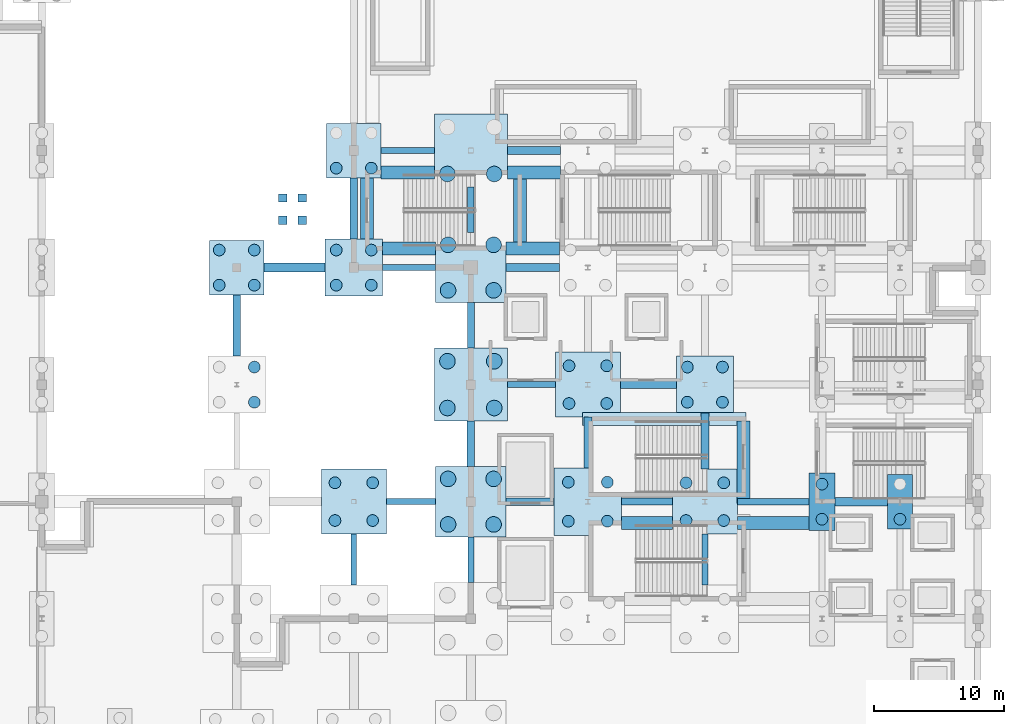
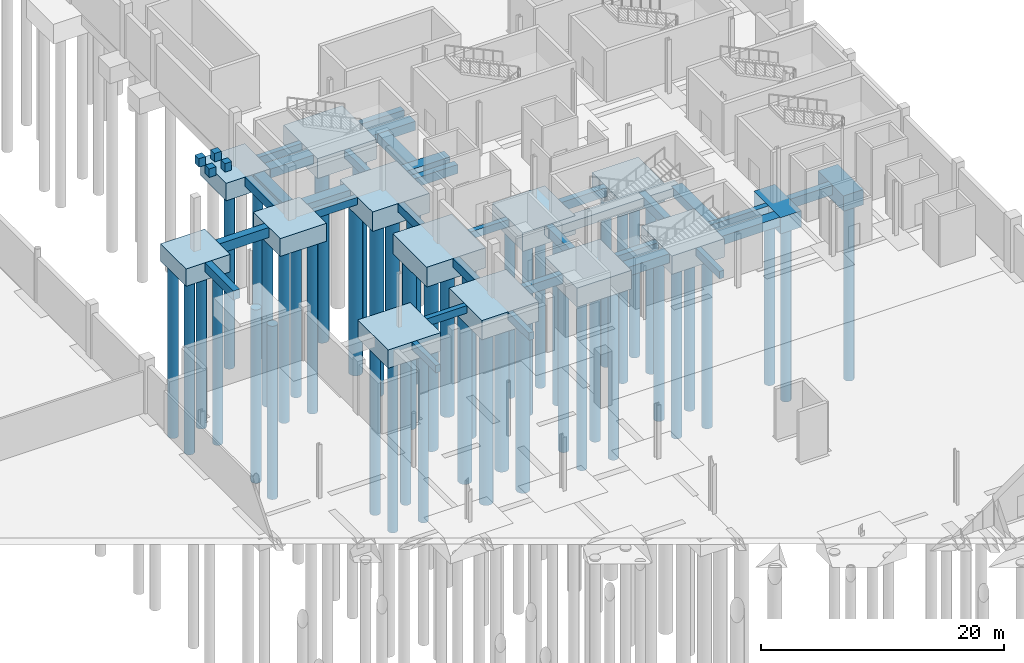
# One storey, part 8 of 58: 50 footings, 49 piles.
"""IFC4 building model written with IfcOpenShell, lengths in metres."""

from ifc_helpers import new_model, si_unit, direction, frame, origin, origin_2d, place, context, subcontext, project, spatial, rectangle, circle, extrude, material, material_profile, profile_set, type_object, element, save


model = new_model("IFC4")

# Units and contexts
model_context = context("Model", 3, precision=1e-05, world=origin(), true_north=direction((0.0, 1.0)))
body_context = subcontext(model_context, "Body", "Model", "MODEL_VIEW")
ifc_project = project(units=[si_unit("LENGTHUNIT", "METRE"), si_unit("AREAUNIT", "SQUARE_METRE"), si_unit("VOLUMEUNIT", "CUBIC_METRE"), si_unit("PLANEANGLEUNIT", "RADIAN"), si_unit("MASSUNIT", "GRAM", prefix="KILO")], contexts=[model_context])

# Site, building, storey
site_placement = place(None, origin())
site = spatial("IfcSite", under=ifc_project, at=site_placement, CompositionType="ELEMENT")
building_placement = place(site_placement, origin())
building = spatial("IfcBuilding", under=site, at=building_placement, Name="Qamarlyn Nura Convention Centre", CompositionType="ELEMENT")
storey_placement = place(building_placement, frame((0.0, 0.0, -5.39990234375)))
storey = spatial("IfcBuildingStorey", under=building, at=storey_placement, Name="B01", CompositionType="ELEMENT", Elevation=-5.39990234375)

# Footings
ifc_material = material(Name="Concrete C40/50", Category="concrete")
ifc_material_profile_1 = material_profile(ifc_material, rectangle(XDim=0.449951171875, YDim=0.75, at=origin_2d()), Name="RC GB 450x750")
ifc_profile_set_1 = profile_set([ifc_material_profile_1], Name="Concrete C40/50")
footing_type_1 = type_object("IfcFootingType", Name="GB-450X750", PredefinedType="FOOTING_BEAM", material=ifc_profile_set_1)
footing_1_placement = place(storey_placement, frame((146.5, 63.0, -0.375), z_axis=(1.0, 0.0, 0.0), x_axis=(0.0, 1.0, 0.0)))
element("IfcFooting", 1, at=footing_1_placement, inside=storey, type_object=footing_type_1, Name="Ground tie beam H 12-13", PredefinedType="FOOTING_BEAM", context=body_context, shape_type="SweptSolid", body=[
    extrude(rectangle(XDim=0.449951171875, YDim=0.75, at=origin_2d()), origin(), (0.0, 0.0, 1.0), 3.800048828125),
])
footing_2_placement = place(storey_placement, frame((155.800048828125, 72.0, -0.375), z_axis=(1.0, 0.0, 0.0), x_axis=(0.0, 1.0, 0.0)))
element("IfcFooting", 2, at=footing_2_placement, inside=storey, type_object=footing_type_1, Name="Ground tie beam J 13-14", PredefinedType="FOOTING_BEAM", context=body_context, shape_type="SweptSolid", body=[
    extrude(rectangle(XDim=0.449951171875, YDim=0.75, at=origin_2d()), origin(), (0.0, 0.0, 1.0), 3.699951171875),
])
footing_3_placement = place(storey_placement, frame((146.199951171875, 81.0, -0.375), z_axis=(1.0, 0.0, 0.0), x_axis=(0.0, 1.0, 0.0)))
element("IfcFooting", 3, at=footing_3_placement, inside=storey, type_object=footing_type_1, Name="Ground tie beam K 12-13", PredefinedType="FOOTING_BEAM", context=body_context, shape_type="SweptSolid", body=[
    extrude(rectangle(XDim=0.449951171875, YDim=0.75, at=origin_2d()), origin(), (0.0, 0.0, 1.0), 4.10009765625),
])
footing_4_placement = place(storey_placement, frame((146.10009765625, 90.0, -0.375), z_axis=(1.0, 0.0, 0.0), x_axis=(0.0, 1.0, 0.0)))
element("IfcFooting", 4, at=footing_4_placement, inside=storey, type_object=footing_type_1, Name="Ground tie beam L 12-13", PredefinedType="FOOTING_BEAM", context=body_context, shape_type="SweptSolid", body=[
    extrude(rectangle(XDim=0.449951171875, YDim=0.75, at=origin_2d()), origin(), (0.0, 0.0, 1.0), 4.099853515625),
])
footing_5_placement = place(storey_placement, frame((144.0, 56.60009765625, -0.375), z_axis=(0.0, 1.0, 0.0), x_axis=(-1.0, 0.0, 0.0)))
element("IfcFooting", 5, at=footing_5_placement, inside=storey, type_object=footing_type_1, Name="Ground tie beam 12 G-H", PredefinedType="FOOTING_BEAM", context=body_context, shape_type="SweptSolid", body=[
    extrude(rectangle(XDim=0.449951171875, YDim=0.75, at=origin_2d()), origin(), (0.0, 0.0, 1.0), 3.89990234375),
])
footing_6_placement = place(storey_placement, frame((153.0, 56.800048828125, -0.375), z_axis=(0.0, 1.0, 0.0), x_axis=(-1.0, 0.0, 0.0)))
element("IfcFooting", 6, at=footing_6_placement, inside=storey, type_object=footing_type_1, Name="Ground tie beam 13 G-H", PredefinedType="FOOTING_BEAM", context=body_context, shape_type="SweptSolid", body=[
    extrude(rectangle(XDim=0.449951171875, YDim=0.75, at=origin_2d()), origin(), (0.0, 0.0, 1.0), 3.5),
])
footing_7_placement = place(storey_placement, frame((171.0, 56.60009765625, -0.375), z_axis=(0.0, 1.0, 0.0), x_axis=(-1.0, 0.0, 0.0)))
element("IfcFooting", 7, at=footing_7_placement, inside=storey, type_object=footing_type_1, Name="Ground tie beam 15 G-H", PredefinedType="FOOTING_BEAM", context=body_context, shape_type="SweptSolid", body=[
    extrude(rectangle(XDim=0.449951171875, YDim=0.75, at=origin_2d()), origin(), (0.0, 0.0, 1.0), 3.89990234375),
])
ifc_material_profile_2 = material_profile(ifc_material, rectangle(XDim=0.5, YDim=0.800048828125, at=origin_2d()), Name="RC GB 500x800")
ifc_profile_set_2 = profile_set([ifc_material_profile_2], Name="Concrete C40/50")
footing_type_2 = type_object("IfcFootingType", Name="GB-500X800", PredefinedType="FOOTING_BEAM", material=ifc_profile_set_2)
footing_8_placement = place(storey_placement, frame((173.5, 63.0, -0.400146484375), z_axis=(1.0, 0.0, 0.0), x_axis=(0.0, 1.0, 0.0)))
element("IfcFooting", 8, at=footing_8_placement, inside=storey, type_object=footing_type_2, Name="Ground tie beam H 15-16", PredefinedType="FOOTING_BEAM", context=body_context, shape_type="SweptSolid", body=[
    extrude(rectangle(XDim=0.5, YDim=0.800048828125, at=origin_2d()), origin(), (0.0, 0.0, 1.0), 5.5),
])
footing_9_placement = place(storey_placement, frame((153.0, 83.699951171875, -0.400146484375), z_axis=(0.0, 1.0, 0.0), x_axis=(-1.0, 0.0, 0.0)))
element("IfcFooting", 9, at=footing_9_placement, inside=storey, type_object=footing_type_2, Name="Ground tie beam 13 K-L", PredefinedType="FOOTING_BEAM", context=body_context, shape_type="SweptSolid", body=[
    extrude(rectangle(XDim=0.5, YDim=0.800048828125, at=origin_2d()), origin(), (0.0, 0.0, 1.0), 3.5),
])
ifc_material_profile_3 = material_profile(ifc_material, rectangle(XDim=0.550048828125, YDim=0.85009765625, at=origin_2d()), Name="RC GB 550x850")
ifc_profile_set_3 = profile_set([ifc_material_profile_3], Name="Concrete C40/50")
footing_type_3 = type_object("IfcFootingType", Name="GB-550X850", PredefinedType="FOOTING_BEAM", material=ifc_profile_set_3)
footing_10_placement = place(storey_placement, frame((164.60009765625, 63.0, -0.425048828125), z_axis=(1.0, 0.0, 0.0), x_axis=(0.0, 1.0, 0.0)))
element("IfcFooting", 10, at=footing_10_placement, inside=storey, type_object=footing_type_3, Name="Ground tie beam H 14-15", PredefinedType="FOOTING_BEAM", context=body_context, shape_type="SweptSolid", body=[
    extrude(rectangle(XDim=0.550048828125, YDim=0.85009765625, at=origin_2d()), origin(), (0.0, 0.0, 1.0), 3.89990234375),
])
footing_11_placement = place(storey_placement, frame((153.0, 74.800048828125, -0.425048828125), z_axis=(0.0, 1.0, 0.0), x_axis=(-1.0, 0.0, 0.0)))
element("IfcFooting", 11, at=footing_11_placement, inside=storey, type_object=footing_type_3, Name="Ground tie beam 13 J-K", PredefinedType="FOOTING_BEAM", context=body_context, shape_type="SweptSolid", body=[
    extrude(rectangle(XDim=0.550048828125, YDim=0.85009765625, at=origin_2d()), origin(), (0.0, 0.0, 1.0), 3.5),
])
ifc_material_profile_4 = material_profile(ifc_material, rectangle(XDim=0.60009765625, YDim=0.89990234375, at=origin_2d()), Name="RC GB 600x900")
ifc_profile_set_4 = profile_set([ifc_material_profile_4], Name="Concrete C40/50")
footing_type_4 = type_object("IfcFootingType", Name="GB-600X900", PredefinedType="FOOTING_BEAM", material=ifc_profile_set_4)
footing_12_placement = place(storey_placement, frame((155.699951171875, 63.0, -0.4501953125), z_axis=(1.0, 0.0, 0.0), x_axis=(0.0, 1.0, 0.0)))
element("IfcFooting", 12, at=footing_12_placement, inside=storey, type_object=footing_type_4, Name="Ground tie beam H 13-14", PredefinedType="FOOTING_BEAM", context=body_context, shape_type="SweptSolid", body=[
    extrude(rectangle(XDim=0.60009765625, YDim=0.89990234375, at=origin_2d()), origin(), (0.0, 0.0, 1.0), 3.699951171875),
])
footing_13_placement = place(storey_placement, frame((164.5, 72.0, -0.4501953125), z_axis=(1.0, 0.0, 0.0), x_axis=(0.0, 1.0, 0.0)))
element("IfcFooting", 13, at=footing_13_placement, inside=storey, type_object=footing_type_4, Name="Ground tie beam J 14-15", PredefinedType="FOOTING_BEAM", context=body_context, shape_type="SweptSolid", body=[
    extrude(rectangle(XDim=0.60009765625, YDim=0.89990234375, at=origin_2d()), origin(), (0.0, 0.0, 1.0), 4.300048828125),
])
footing_14_placement = place(storey_placement, frame((155.699951171875, 81.0, -0.4501953125), z_axis=(1.0, 0.0, 0.0), x_axis=(0.0, 1.0, 0.0)))
element("IfcFooting", 14, at=footing_14_placement, inside=storey, type_object=footing_type_4, Name="Ground tie beam K 13-14", PredefinedType="FOOTING_BEAM", context=body_context, shape_type="SweptSolid", body=[
    extrude(rectangle(XDim=0.60009765625, YDim=0.89990234375, at=origin_2d()), origin(), (0.0, 0.0, 1.0), 4.10009765625),
])
footing_15_placement = place(storey_placement, frame((155.800048828125, 90.0, -0.4501953125), z_axis=(1.0, 0.0, 0.0), x_axis=(0.0, 1.0, 0.0)))
element("IfcFooting", 15, at=footing_15_placement, inside=storey, type_object=footing_type_4, Name="Ground tie beam L 13-14", PredefinedType="FOOTING_BEAM", context=body_context, shape_type="SweptSolid", body=[
    extrude(rectangle(XDim=0.60009765625, YDim=0.89990234375, at=origin_2d()), origin(), (0.0, 0.0, 1.0), 4.099853515625),
])
for number, where, z_axis, x_axis, name in (
    (16, (135.0, 74.199951171875, -0.4501953125), (0.0, 1.0, 0.0), (-1.0, 0.0, 0.0), "Ground tie beam 11 J-K"),
    (17, (144.0, 83.199951171875, -0.4501953125), (0.0, 1.0, 0.0), (-1.0, 0.0, 0.0), "Ground tie beam 12 K-L"),
):
    element("IfcFooting", number, at=place(storey_placement, frame(where, z_axis=z_axis, x_axis=x_axis)), inside=storey, type_object=footing_type_4, Name=name, PredefinedType="FOOTING_BEAM", context=body_context, shape_type="SweptSolid", body=[
        extrude(rectangle(XDim=0.60009765625, YDim=0.89990234375, at=origin_2d()), origin(), (0.0, 0.0, 1.0), 4.699951171875),
    ])
footing_16_placement = place(storey_placement, frame((153.0, 65.699951171875, -0.4501953125), z_axis=(0.0, 1.0, 0.0), x_axis=(-1.0, 0.0, 0.0)))
element("IfcFooting", 18, at=footing_16_placement, inside=storey, type_object=footing_type_4, Name="Ground tie beam 13 H-J", PredefinedType="FOOTING_BEAM", context=body_context, shape_type="SweptSolid", body=[
    extrude(rectangle(XDim=0.60009765625, YDim=0.89990234375, at=origin_2d()), origin(), (0.0, 0.0, 1.0), 3.5),
])
footing_17_placement = place(storey_placement, frame((162.0, 65.60009765625, -0.4501953125), z_axis=(0.0, 1.0, 0.0), x_axis=(-1.0, 0.0, 0.0)))
element("IfcFooting", 19, at=footing_17_placement, inside=storey, type_object=footing_type_4, Name="Ground tie beam 14 H-J", PredefinedType="FOOTING_BEAM", context=body_context, shape_type="SweptSolid", body=[
    extrude(rectangle(XDim=0.60009765625, YDim=0.89990234375, at=origin_2d()), origin(), (0.0, 0.0, 1.0), 3.89990234375),
])
footing_18_placement = place(storey_placement, frame((171.0, 65.5, -0.4501953125), z_axis=(0.0, 1.0, 0.0), x_axis=(-1.0, 0.0, 0.0)))
element("IfcFooting", 20, at=footing_18_placement, inside=storey, type_object=footing_type_4, Name="Ground tie beam 15 H-J", PredefinedType="FOOTING_BEAM", context=body_context, shape_type="SweptSolid", body=[
    extrude(rectangle(XDim=0.60009765625, YDim=0.89990234375, at=origin_2d()), origin(), (0.0, 0.0, 1.0), 4.300048828125),
])
ifc_material_profile_5 = material_profile(ifc_material, rectangle(XDim=0.64990234375, YDim=0.949951171875, at=origin_2d()), Name="RC GB 650x950")
ifc_profile_set_5 = profile_set([ifc_material_profile_5], Name="Concrete C40/50")
footing_type_5 = type_object("IfcFootingType", Name="GB-650X950", PredefinedType="FOOTING_BEAM", material=ifc_profile_set_5)
footing_19_placement = place(storey_placement, frame((181.0, 63.0, -0.47509765625), z_axis=(1.0, 0.0, 0.0), x_axis=(0.0, 1.0, 0.0)))
element("IfcFooting", 21, at=footing_19_placement, inside=storey, type_object=footing_type_5, Name="Ground tie beam H 16-17", PredefinedType="FOOTING_BEAM", context=body_context, shape_type="SweptSolid", body=[
    extrude(rectangle(XDim=0.64990234375, YDim=0.949951171875, at=origin_2d()), origin(), (0.0, 0.0, 1.0), 4.050048828125),
])
ifc_material_profile_6 = material_profile(ifc_material, rectangle(XDim=0.699951171875, YDim=1.0, at=origin_2d()), Name="RC GB 700x1000")
ifc_profile_set_6 = profile_set([ifc_material_profile_6], Name="Concrete C40/50")
footing_type_6 = type_object("IfcFootingType", Name="GB-700X1000", PredefinedType="FOOTING_BEAM", material=ifc_profile_set_6)
footing_20_placement = place(storey_placement, frame((137.10009765625, 81.0, -0.5), z_axis=(1.0, 0.0, 0.0), x_axis=(0.0, 1.0, 0.0)))
element("IfcFooting", 22, at=footing_20_placement, inside=storey, type_object=footing_type_6, Name="Ground tie beam K 11-12", PredefinedType="FOOTING_BEAM", context=body_context, shape_type="SweptSolid", body=[
    extrude(rectangle(XDim=0.699951171875, YDim=1.0, at=origin_2d()), origin(), (0.0, 0.0, 1.0), 4.699951171875),
])
footing_type_7 = type_object("IfcFootingType", Name="PC-HALL-50", PredefinedType="PILE_CAP", material=ifc_material)
for number, where, z_axis, x_axis, name in (
    (23, (144.0, 63.0, -1.85009765625), (0.0, 0.0, 1.0), (1.0, 0.0, 0.0), "Pile cap CAP-12-H"),
    (24, (162.0, 72.0, -1.85009765625), (0.0, 0.0, 1.0), (1.0, 0.0, 0.0), "Pile cap CAP-14-J"),
    (25, (171.0, 63.0, -1.85009765625), (0.0, 0.0, 1.0), (1.0, 0.0, 0.0), "Pile cap CAP-15-H"),
):
    element("IfcFooting", number, at=place(storey_placement, frame(where, z_axis=z_axis, x_axis=x_axis)), inside=storey, type_object=footing_type_7, Name=name, PredefinedType="PILE_CAP", context=body_context, shape_type="SweptSolid", body=[
        extrude(rectangle(XDim=5.0, YDim=5.0, at=origin_2d()), origin(), (0.0, 0.0, 1.0), 1.85009765625),
    ])
footing_type_8 = type_object("IfcFootingType", Name="PC-HALL-52", PredefinedType="PILE_CAP", material=ifc_material)
footing_21_placement = place(storey_placement, frame((162.0, 63.0, -1.900146484375), z_axis=(0.0, 0.0, 1.0), x_axis=(1.0, 0.0, 0.0)))
element("IfcFooting", 26, at=footing_21_placement, inside=storey, type_object=footing_type_8, Name="Pile cap CAP-14-H", PredefinedType="PILE_CAP", context=body_context, shape_type="SweptSolid", body=[
    extrude(rectangle(XDim=5.199951171875, YDim=5.199951171875, at=origin_2d()), origin(), (0.0, 0.0, 1.0), 1.89990234375),
])
footing_type_9 = type_object("IfcFootingType", Name="PC-MEGA-54", PredefinedType="PILE_CAP", material=ifc_material)
for number, where, z_axis, x_axis, name in (
    (27, (153.0, 63.0, -1.9501953125), (0.0, 0.0, 1.0), (1.0, 0.0, 0.0), "Pile cap CAP-13-H"),
    (28, (153.0, 81.0, -1.9501953125), (0.0, 0.0, 1.0), (1.0, 0.0, 0.0), "Pile cap CAP-13-K"),
):
    element("IfcFooting", number, at=place(storey_placement, frame(where, z_axis=z_axis, x_axis=x_axis)), inside=storey, type_object=footing_type_9, Name=name, PredefinedType="PILE_CAP", context=body_context, shape_type="SweptSolid", body=[
        extrude(rectangle(XDim=5.39990234375, YDim=5.39990234375, at=origin_2d()), origin(), (0.0, 0.0, 1.0), 1.949951171875),
    ])
footing_type_10 = type_object("IfcFootingType", Name="PC-MEGA-56", PredefinedType="PILE_CAP", material=ifc_material)
for number, where, z_axis, x_axis, name in (
    (29, (153.0, 72.0, -2.0), (0.0, 0.0, 1.0), (1.0, 0.0, 0.0), "Pile cap CAP-13-J"),
    (30, (153.0, 90.0, -2.0), (0.0, 0.0, 1.0), (1.0, 0.0, 0.0), "Pile cap CAP-13-L"),
):
    element("IfcFooting", number, at=place(storey_placement, frame(where, z_axis=z_axis, x_axis=x_axis)), inside=storey, type_object=footing_type_10, Name=name, PredefinedType="PILE_CAP", context=body_context, shape_type="SweptSolid", body=[
        extrude(rectangle(XDim=5.60009765625, YDim=5.60009765625, at=origin_2d()), origin(), (0.0, 0.0, 1.0), 2.0),
    ])
footing_type_11 = type_object("IfcFootingType", Name="PC-PAIR-19X42", PredefinedType="PILE_CAP", material=ifc_material)
footing_22_placement = place(storey_placement, frame((186.0, 63.0, -1.55029296875), z_axis=(0.0, 0.0, 1.0), x_axis=(1.0, 0.0, 0.0)))
element("IfcFooting", 31, at=footing_22_placement, inside=storey, type_object=footing_type_11, Name="Pile cap CAP-17-H", PredefinedType="PILE_CAP", context=body_context, shape_type="SweptSolid", body=[
    extrude(rectangle(XDim=1.89990234375, YDim=4.199951171875, at=origin_2d()), origin(), (0.0, 0.0, 1.0), 1.550048828125),
])
footing_type_12 = type_object("IfcFootingType", Name="PC-PAIR-20X44", PredefinedType="PILE_CAP", material=ifc_material)
footing_23_placement = place(storey_placement, frame((180.0, 63.0, -1.650146484375), z_axis=(0.0, 0.0, 1.0), x_axis=(1.0, 0.0, 0.0)))
element("IfcFooting", 32, at=footing_23_placement, inside=storey, type_object=footing_type_12, Name="Pile cap CAP-16-H", PredefinedType="PILE_CAP", context=body_context, shape_type="SweptSolid", body=[
    extrude(rectangle(XDim=2.0, YDim=4.39990234375, at=origin_2d()), origin(), (0.0, 0.0, 1.0), 1.64990234375),
])
footing_type_13 = type_object("IfcFootingType", Name="PC-WING-42", PredefinedType="PILE_CAP", material=ifc_material)
for number, where, z_axis, x_axis, name in (
    (33, (135.0, 81.0, -1.75), (0.0, 0.0, 1.0), (1.0, 0.0, 0.0), "Pile cap CAP-11-K"),
    (34, (144.0, 90.0, -1.75), (0.0, 0.0, 1.0), (1.0, 0.0, 0.0), "Pile cap CAP-12-L"),
):
    element("IfcFooting", number, at=place(storey_placement, frame(where, z_axis=z_axis, x_axis=x_axis)), inside=storey, type_object=footing_type_13, Name=name, PredefinedType="PILE_CAP", context=body_context, shape_type="SweptSolid", body=[
        extrude(rectangle(XDim=4.199951171875, YDim=4.199951171875, at=origin_2d()), origin(), (0.0, 0.0, 1.0), 1.75),
    ])
footing_type_14 = type_object("IfcFootingType", Name="PC-WING-44", PredefinedType="PILE_CAP", material=ifc_material)
for number, where, z_axis, x_axis, name in (
    (35, (144.0, 81.0, -1.80029296875), (0.0, 0.0, 1.0), (1.0, 0.0, 0.0), "Pile cap CAP-12-K"),
    (36, (171.0, 72.0, -1.80029296875), (0.0, 0.0, 1.0), (1.0, 0.0, 0.0), "Pile cap CAP-15-J"),
):
    element("IfcFooting", number, at=place(storey_placement, frame(where, z_axis=z_axis, x_axis=x_axis)), inside=storey, type_object=footing_type_14, Name=name, PredefinedType="PILE_CAP", context=body_context, shape_type="SweptSolid", body=[
        extrude(rectangle(XDim=4.39990234375, YDim=4.39990234375, at=origin_2d()), origin(), (0.0, 0.0, 1.0), 1.800048828125),
    ])
footing_type_15 = type_object("IfcFootingType", Name="PF-RAMP-070", PredefinedType="PAD_FOOTING", material=ifc_material)
for number, where, z_axis, x_axis, name in (
    (37, (138.550048828125, 84.64990234375, 4.0498046875), (0.0, 0.0, 1.0), (1.0, 0.0, 0.0), "Entrance ramp corner pad footing PR-04-1"),
    (38, (140.050048828125, 84.64990234375, 4.0498046875), (0.0, 0.0, 1.0), (1.0, 0.0, 0.0), "Entrance ramp corner pad footing PR-04-2"),
    (39, (138.550048828125, 86.35009765625, 4.0498046875), (0.0, 0.0, 1.0), (1.0, 0.0, 0.0), "Entrance ramp corner pad footing PR-04-3"),
    (40, (140.050048828125, 86.35009765625, 4.0498046875), (0.0, 0.0, 1.0), (1.0, 0.0, 0.0), "Entrance ramp corner pad footing PR-04-4"),
):
    element("IfcFooting", number, at=place(storey_placement, frame(where, z_axis=z_axis, x_axis=x_axis)), inside=storey, type_object=footing_type_15, Name=name, PredefinedType="PAD_FOOTING", context=body_context, shape_type="SweptSolid", body=[
        extrude(rectangle(XDim=0.64990234375, YDim=0.64990234375, at=origin_2d()), origin(), (0.0, 0.0, 1.0), 0.85009765625),
    ])

# Piles
ifc_material_profile_7 = material_profile(ifc_material, circle(Radius=0.60009765625, at=origin_2d()), Name="BORED PILE 1200")
ifc_profile_set_7 = profile_set([ifc_material_profile_7], Name="Concrete C40/50")
pile_type_1 = type_object("IfcPileType", Name="PILE-1200", PredefinedType="BORED", material=ifc_profile_set_7)
for number, where, z_axis, x_axis, name in (
    (41, (151.25, 61.25, -1.800048828125), (0.0, 0.0, -1.0), (1.0, 0.0, 0.0), "Bored pile PILE-13-H-1"),
    (42, (154.75, 61.25, -1.800048828125), (0.0, 0.0, -1.0), (1.0, 0.0, 0.0), "Bored pile PILE-13-H-2"),
    (43, (151.25, 64.75, -1.800048828125), (0.0, 0.0, -1.0), (1.0, 0.0, 0.0), "Bored pile PILE-13-H-3"),
    (44, (154.75, 64.75, -1.800048828125), (0.0, 0.0, -1.0), (1.0, 0.0, 0.0), "Bored pile PILE-13-H-4"),
):
    element("IfcPile", number, at=place(storey_placement, frame(where, z_axis=z_axis, x_axis=x_axis)), inside=storey, type_object=pile_type_1, Name=name, PredefinedType="BORED", context=body_context, shape_type="SweptSolid", body=[
        extrude(circle(Radius=0.60009765625, at=origin_2d()), origin(), (0.0, 0.0, 1.0), 17.300048828125),
    ])
for number, where, z_axis, x_axis, name in (
    (45, (151.199951171875, 70.199951171875, -1.85009765625), (0.0, 0.0, -1.0), (1.0, 0.0, 0.0), "Bored pile PILE-13-J-1"),
    (46, (154.800048828125, 70.199951171875, -1.85009765625), (0.0, 0.0, -1.0), (1.0, 0.0, 0.0), "Bored pile PILE-13-J-2"),
    (47, (151.199951171875, 73.800048828125, -1.85009765625), (0.0, 0.0, -1.0), (1.0, 0.0, 0.0), "Bored pile PILE-13-J-3"),
    (48, (154.800048828125, 73.800048828125, -1.85009765625), (0.0, 0.0, -1.0), (1.0, 0.0, 0.0), "Bored pile PILE-13-J-4"),
):
    element("IfcPile", number, at=place(storey_placement, frame(where, z_axis=z_axis, x_axis=x_axis)), inside=storey, type_object=pile_type_1, Name=name, PredefinedType="BORED", context=body_context, shape_type="SweptSolid", body=[
        extrude(circle(Radius=0.60009765625, at=origin_2d()), origin(), (0.0, 0.0, 1.0), 17.25),
    ])
for number, where, z_axis, x_axis, name in (
    (49, (151.25, 79.25, -1.800048828125), (0.0, 0.0, -1.0), (1.0, 0.0, 0.0), "Bored pile PILE-13-K-1"),
    (50, (154.75, 79.25, -1.800048828125), (0.0, 0.0, -1.0), (1.0, 0.0, 0.0), "Bored pile PILE-13-K-2"),
    (51, (151.25, 82.75, -1.800048828125), (0.0, 0.0, -1.0), (1.0, 0.0, 0.0), "Bored pile PILE-13-K-3"),
    (52, (154.75, 82.75, -1.800048828125), (0.0, 0.0, -1.0), (1.0, 0.0, 0.0), "Bored pile PILE-13-K-4"),
):
    element("IfcPile", number, at=place(storey_placement, frame(where, z_axis=z_axis, x_axis=x_axis)), inside=storey, type_object=pile_type_1, Name=name, PredefinedType="BORED", context=body_context, shape_type="SweptSolid", body=[
        extrude(circle(Radius=0.60009765625, at=origin_2d()), origin(), (0.0, 0.0, 1.0), 17.300048828125),
    ])
for number, where, z_axis, x_axis, name in (
    (53, (151.199951171875, 88.199951171875, -1.85009765625), (0.0, 0.0, -1.0), (1.0, 0.0, 0.0), "Bored pile PILE-13-L-1"),
    (54, (154.800048828125, 88.199951171875, -1.85009765625), (0.0, 0.0, -1.0), (1.0, 0.0, 0.0), "Bored pile PILE-13-L-2"),
):
    element("IfcPile", number, at=place(storey_placement, frame(where, z_axis=z_axis, x_axis=x_axis)), inside=storey, type_object=pile_type_1, Name=name, PredefinedType="BORED", context=body_context, shape_type="SweptSolid", body=[
        extrude(circle(Radius=0.60009765625, at=origin_2d()), origin(), (0.0, 0.0, 1.0), 17.25),
    ])
ifc_material_profile_8 = material_profile(ifc_material, circle(Radius=0.449951171875, at=origin_2d()), Name="BORED PILE 900")
ifc_profile_set_8 = profile_set([ifc_material_profile_8], Name="Concrete C40/50")
pile_type_2 = type_object("IfcPileType", Name="PILE-900", PredefinedType="BORED", material=ifc_profile_set_8)
for number, where, z_axis, x_axis, name in (
    (55, (136.35009765625, 70.64990234375, -1.650146484375), (0.0, 0.0, -1.0), (1.0, 0.0, 0.0), "Bored pile PILE-11-J-2"),
    (56, (136.35009765625, 73.35009765625, -1.650146484375), (0.0, 0.0, -1.0), (1.0, 0.0, 0.0), "Bored pile PILE-11-J-4"),
):
    element("IfcPile", number, at=place(storey_placement, frame(where, z_axis=z_axis, x_axis=x_axis)), inside=storey, type_object=pile_type_2, Name=name, PredefinedType="BORED", context=body_context, shape_type="SweptSolid", body=[
        extrude(circle(Radius=0.449951171875, at=origin_2d()), origin(), (0.0, 0.0, 1.0), 17.449951171875),
    ])
for number, where, z_axis, x_axis, name in (
    (57, (133.64990234375, 79.64990234375, -1.60009765625), (0.0, 0.0, -1.0), (1.0, 0.0, 0.0), "Bored pile PILE-11-K-1"),
    (58, (136.35009765625, 79.64990234375, -1.60009765625), (0.0, 0.0, -1.0), (1.0, 0.0, 0.0), "Bored pile PILE-11-K-2"),
    (59, (133.64990234375, 82.35009765625, -1.60009765625), (0.0, 0.0, -1.0), (1.0, 0.0, 0.0), "Bored pile PILE-11-K-3"),
    (60, (136.35009765625, 82.35009765625, -1.60009765625), (0.0, 0.0, -1.0), (1.0, 0.0, 0.0), "Bored pile PILE-11-K-4"),
):
    element("IfcPile", number, at=place(storey_placement, frame(where, z_axis=z_axis, x_axis=x_axis)), inside=storey, type_object=pile_type_2, Name=name, PredefinedType="BORED", context=body_context, shape_type="SweptSolid", body=[
        extrude(circle(Radius=0.449951171875, at=origin_2d()), origin(), (0.0, 0.0, 1.0), 17.5),
    ])
for number, where, z_axis, x_axis, name in (
    (61, (142.550048828125, 61.550048828125, -1.7001953125), (0.0, 0.0, -1.0), (1.0, 0.0, 0.0), "Bored pile PILE-12-H-1"),
    (62, (145.449951171875, 61.550048828125, -1.7001953125), (0.0, 0.0, -1.0), (1.0, 0.0, 0.0), "Bored pile PILE-12-H-2"),
    (63, (142.550048828125, 64.449951171875, -1.7001953125), (0.0, 0.0, -1.0), (1.0, 0.0, 0.0), "Bored pile PILE-12-H-3"),
    (64, (145.449951171875, 64.449951171875, -1.7001953125), (0.0, 0.0, -1.0), (1.0, 0.0, 0.0), "Bored pile PILE-12-H-4"),
):
    element("IfcPile", number, at=place(storey_placement, frame(where, z_axis=z_axis, x_axis=x_axis)), inside=storey, type_object=pile_type_2, Name=name, PredefinedType="BORED", context=body_context, shape_type="SweptSolid", body=[
        extrude(circle(Radius=0.449951171875, at=origin_2d()), origin(), (0.0, 0.0, 1.0), 17.39990234375),
    ])
for number, where, z_axis, x_axis, name in (
    (65, (142.64990234375, 79.64990234375, -1.650146484375), (0.0, 0.0, -1.0), (1.0, 0.0, 0.0), "Bored pile PILE-12-K-1"),
    (66, (145.35009765625, 79.64990234375, -1.650146484375), (0.0, 0.0, -1.0), (1.0, 0.0, 0.0), "Bored pile PILE-12-K-2"),
    (67, (142.64990234375, 82.35009765625, -1.650146484375), (0.0, 0.0, -1.0), (1.0, 0.0, 0.0), "Bored pile PILE-12-K-3"),
    (68, (145.35009765625, 82.35009765625, -1.650146484375), (0.0, 0.0, -1.0), (1.0, 0.0, 0.0), "Bored pile PILE-12-K-4"),
):
    element("IfcPile", number, at=place(storey_placement, frame(where, z_axis=z_axis, x_axis=x_axis)), inside=storey, type_object=pile_type_2, Name=name, PredefinedType="BORED", context=body_context, shape_type="SweptSolid", body=[
        extrude(circle(Radius=0.449951171875, at=origin_2d()), origin(), (0.0, 0.0, 1.0), 17.449951171875),
    ])
for number, where, z_axis, x_axis, name in (
    (69, (142.64990234375, 88.64990234375, -1.60009765625), (0.0, 0.0, -1.0), (1.0, 0.0, 0.0), "Bored pile PILE-12-L-1"),
    (70, (145.35009765625, 88.64990234375, -1.60009765625), (0.0, 0.0, -1.0), (1.0, 0.0, 0.0), "Bored pile PILE-12-L-2"),
):
    element("IfcPile", number, at=place(storey_placement, frame(where, z_axis=z_axis, x_axis=x_axis)), inside=storey, type_object=pile_type_2, Name=name, PredefinedType="BORED", context=body_context, shape_type="SweptSolid", body=[
        extrude(circle(Radius=0.449951171875, at=origin_2d()), origin(), (0.0, 0.0, 1.0), 17.5),
    ])
for number, where, z_axis, x_axis, name in (
    (71, (160.5, 61.5, -1.75), (0.0, 0.0, -1.0), (1.0, 0.0, 0.0), "Bored pile PILE-14-H-1"),
    (72, (163.5, 61.5, -1.75), (0.0, 0.0, -1.0), (1.0, 0.0, 0.0), "Bored pile PILE-14-H-2"),
    (73, (160.5, 64.5, -1.75), (0.0, 0.0, -1.0), (1.0, 0.0, 0.0), "Bored pile PILE-14-H-3"),
    (74, (163.5, 64.5, -1.75), (0.0, 0.0, -1.0), (1.0, 0.0, 0.0), "Bored pile PILE-14-H-4"),
):
    element("IfcPile", number, at=place(storey_placement, frame(where, z_axis=z_axis, x_axis=x_axis)), inside=storey, type_object=pile_type_2, Name=name, PredefinedType="BORED", context=body_context, shape_type="SweptSolid", body=[
        extrude(circle(Radius=0.449951171875, at=origin_2d()), origin(), (0.0, 0.0, 1.0), 17.35009765625),
    ])
for number, where, z_axis, x_axis, name in (
    (75, (160.550048828125, 70.550048828125, -1.7001953125), (0.0, 0.0, -1.0), (1.0, 0.0, 0.0), "Bored pile PILE-14-J-1"),
    (76, (163.449951171875, 70.550048828125, -1.7001953125), (0.0, 0.0, -1.0), (1.0, 0.0, 0.0), "Bored pile PILE-14-J-2"),
    (77, (160.550048828125, 73.449951171875, -1.7001953125), (0.0, 0.0, -1.0), (1.0, 0.0, 0.0), "Bored pile PILE-14-J-3"),
    (78, (163.449951171875, 73.449951171875, -1.7001953125), (0.0, 0.0, -1.0), (1.0, 0.0, 0.0), "Bored pile PILE-14-J-4"),
    (79, (169.550048828125, 61.550048828125, -1.7001953125), (0.0, 0.0, -1.0), (1.0, 0.0, 0.0), "Bored pile PILE-15-H-1"),
    (80, (172.449951171875, 61.550048828125, -1.7001953125), (0.0, 0.0, -1.0), (1.0, 0.0, 0.0), "Bored pile PILE-15-H-2"),
    (81, (169.550048828125, 64.449951171875, -1.7001953125), (0.0, 0.0, -1.0), (1.0, 0.0, 0.0), "Bored pile PILE-15-H-3"),
    (82, (172.449951171875, 64.449951171875, -1.7001953125), (0.0, 0.0, -1.0), (1.0, 0.0, 0.0), "Bored pile PILE-15-H-4"),
):
    element("IfcPile", number, at=place(storey_placement, frame(where, z_axis=z_axis, x_axis=x_axis)), inside=storey, type_object=pile_type_2, Name=name, PredefinedType="BORED", context=body_context, shape_type="SweptSolid", body=[
        extrude(circle(Radius=0.449951171875, at=origin_2d()), origin(), (0.0, 0.0, 1.0), 17.39990234375),
    ])
for number, where, z_axis, x_axis, name in (
    (83, (169.64990234375, 70.64990234375, -1.650146484375), (0.0, 0.0, -1.0), (1.0, 0.0, 0.0), "Bored pile PILE-15-J-1"),
    (84, (172.35009765625, 70.64990234375, -1.650146484375), (0.0, 0.0, -1.0), (1.0, 0.0, 0.0), "Bored pile PILE-15-J-2"),
    (85, (169.64990234375, 73.35009765625, -1.650146484375), (0.0, 0.0, -1.0), (1.0, 0.0, 0.0), "Bored pile PILE-15-J-3"),
    (86, (172.35009765625, 73.35009765625, -1.650146484375), (0.0, 0.0, -1.0), (1.0, 0.0, 0.0), "Bored pile PILE-15-J-4"),
):
    element("IfcPile", number, at=place(storey_placement, frame(where, z_axis=z_axis, x_axis=x_axis)), inside=storey, type_object=pile_type_2, Name=name, PredefinedType="BORED", context=body_context, shape_type="SweptSolid", body=[
        extrude(circle(Radius=0.449951171875, at=origin_2d()), origin(), (0.0, 0.0, 1.0), 17.449951171875),
    ])
for number, where, z_axis, x_axis, name in (
    (87, (180.0, 61.64990234375, -1.5), (0.0, 0.0, -1.0), (1.0, 0.0, 0.0), "Bored pile PILE-16-H-1"),
    (88, (180.0, 64.35009765625, -1.5), (0.0, 0.0, -1.0), (1.0, 0.0, 0.0), "Bored pile PILE-16-H-2"),
):
    element("IfcPile", number, at=place(storey_placement, frame(where, z_axis=z_axis, x_axis=x_axis)), inside=storey, type_object=pile_type_2, Name=name, PredefinedType="BORED", context=body_context, shape_type="SweptSolid", body=[
        extrude(circle(Radius=0.449951171875, at=origin_2d()), origin(), (0.0, 0.0, 1.0), 17.60009765625),
    ])
pile_placement = place(storey_placement, frame((186.0, 61.64990234375, -1.400146484375), z_axis=(0.0, 0.0, -1.0), x_axis=(1.0, 0.0, 0.0)))
element("IfcPile", 89, at=pile_placement, inside=storey, type_object=pile_type_2, Name="Bored pile PILE-17-H-1", PredefinedType="BORED", context=body_context, shape_type="SweptSolid", body=[
    extrude(circle(Radius=0.449951171875, at=origin_2d()), origin(), (0.0, 0.0, 1.0), 17.699951171875),
])

# Footings
ifc_material_profile_9 = material_profile(ifc_material, rectangle(XDim=1.0, YDim=0.89990234375, at=origin_2d()), Name="RC STRIP 1000x900")
ifc_profile_set_9 = profile_set([ifc_material_profile_9], Name="Concrete C40/50")
footing_type_16 = type_object("IfcFootingType", Name="SF-WALL-1000", PredefinedType="STRIP_FOOTING", material=ifc_profile_set_9)
footing_24_placement = place(storey_placement, frame((179.0, 61.375, -0.4501953125), z_axis=(-1.0, 0.0, 0.0), x_axis=(0.0, -1.0, 0.0)))
element("IfcFooting", 90, at=footing_24_placement, inside=storey, type_object=footing_type_16, Name="Strip footing WST-ST-11-B01-N-1", PredefinedType="STRIP_FOOTING", context=body_context, shape_type="SweptSolid", body=[
    extrude(rectangle(XDim=1.0, YDim=0.89990234375, at=origin_2d()), origin(), (0.0, 0.0, 1.0), 5.5),
])
footing_25_placement = place(storey_placement, frame((168.5, 61.375, -0.4501953125), z_axis=(-1.0, 0.0, 0.0), x_axis=(0.0, -1.0, 0.0)))
element("IfcFooting", 91, at=footing_25_placement, inside=storey, type_object=footing_type_16, Name="Strip footing WST-ST-11-B01-N-2", PredefinedType="STRIP_FOOTING", context=body_context, shape_type="SweptSolid", body=[
    extrude(rectangle(XDim=1.0, YDim=0.89990234375, at=origin_2d()), origin(), (0.0, 0.0, 1.0), 3.89990234375),
])
footing_26_placement = place(storey_placement, frame((174.14990234375, 69.375, -0.4501953125), z_axis=(-1.0, 0.0, 0.0), x_axis=(0.0, -1.0, 0.0)))
element("IfcFooting", 92, at=footing_26_placement, inside=storey, type_object=footing_type_16, Name="Strip footing WST-ST-12-B01-N-1", PredefinedType="STRIP_FOOTING", context=body_context, shape_type="SweptSolid", body=[
    extrude(rectangle(XDim=1.0, YDim=0.89990234375, at=origin_2d()), origin(), (0.0, 0.0, 1.0), 12.574951171875),
])
footing_27_placement = place(storey_placement, frame((173.97509765625, 62.875, -0.4501953125), z_axis=(0.0, 1.0, 0.0), x_axis=(-1.0, 0.0, 0.0)))
element("IfcFooting", 93, at=footing_27_placement, inside=storey, type_object=footing_type_16, Name="Strip footing WST-ST-12-B01-E-1", PredefinedType="STRIP_FOOTING", context=body_context, shape_type="SweptSolid", body=[
    extrude(rectangle(XDim=1.0, YDim=0.89990234375, at=origin_2d()), origin(), (0.0, 0.0, 1.0), 6.324951171875),
])
for number, where, z_axis, x_axis, name in (
    (94, (146.199951171875, 82.47509765625, -0.4501953125), (1.0, 0.0, 0.0), (0.0, 1.0, 0.0), "Strip footing WST-ST-15-B01-S-1"),
    (95, (155.699951171875, 82.47509765625, -0.4501953125), (1.0, 0.0, 0.0), (0.0, 1.0, 0.0), "Strip footing WST-ST-15-B01-S-2"),
):
    element("IfcFooting", number, at=place(storey_placement, frame(where, z_axis=z_axis, x_axis=x_axis)), inside=storey, type_object=footing_type_16, Name=name, PredefinedType="STRIP_FOOTING", context=body_context, shape_type="SweptSolid", body=[
        extrude(rectangle(XDim=1.0, YDim=0.89990234375, at=origin_2d()), origin(), (0.0, 0.0, 1.0), 4.10009765625),
    ])
for number, where, z_axis, x_axis, name in (
    (96, (159.89990234375, 88.324951171875, -0.4501953125), (-1.0, 0.0, 0.0), (0.0, -1.0, 0.0), "Strip footing WST-ST-15-B01-N-1"),
    (97, (150.199951171875, 88.324951171875, -0.4501953125), (-1.0, 0.0, 0.0), (0.0, -1.0, 0.0), "Strip footing WST-ST-15-B01-N-2"),
):
    element("IfcFooting", number, at=place(storey_placement, frame(where, z_axis=z_axis, x_axis=x_axis)), inside=storey, type_object=footing_type_16, Name=name, PredefinedType="STRIP_FOOTING", context=body_context, shape_type="SweptSolid", body=[
        extrude(rectangle(XDim=1.0, YDim=0.89990234375, at=origin_2d()), origin(), (0.0, 0.0, 1.0), 4.099853515625),
    ])
footing_28_placement = place(storey_placement, frame((145.02490234375, 87.89990234375, -0.4501953125), z_axis=(0.0, -1.0, 0.0), x_axis=(1.0, 0.0, 0.0)))
element("IfcFooting", 98, at=footing_28_placement, inside=storey, type_object=footing_type_16, Name="Strip footing WST-ST-15-B01-W-1", PredefinedType="STRIP_FOOTING", context=body_context, shape_type="SweptSolid", body=[
    extrude(rectangle(XDim=1.0, YDim=0.89990234375, at=origin_2d()), origin(), (0.0, 0.0, 1.0), 4.699951171875),
])
footing_29_placement = place(storey_placement, frame((156.77490234375, 82.64990234375, -0.4501953125), z_axis=(0.0, 1.0, 0.0), x_axis=(-1.0, 0.0, 0.0)))
element("IfcFooting", 99, at=footing_29_placement, inside=storey, type_object=footing_type_16, Name="Strip footing WST-ST-15-B01-E-1", PredefinedType="STRIP_FOOTING", context=body_context, shape_type="SweptSolid", body=[
    extrude(rectangle(XDim=1.0, YDim=0.89990234375, at=origin_2d()), origin(), (0.0, 0.0, 1.0), 5.5),
])

save(model, "model.ifc")
